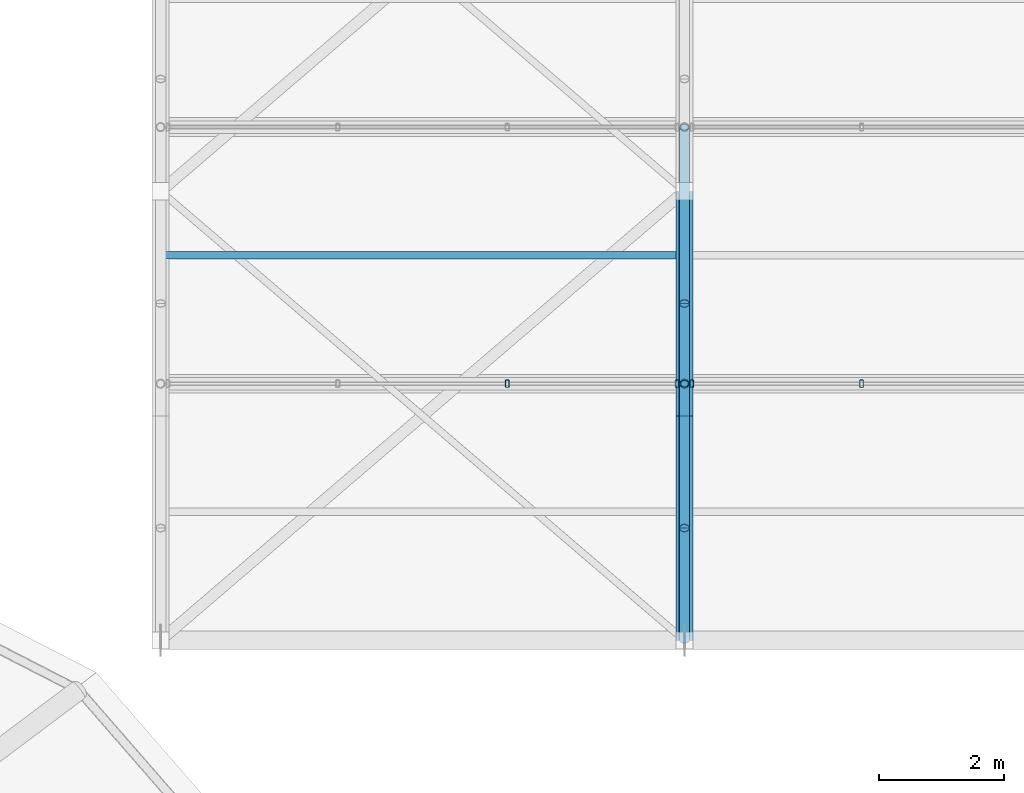
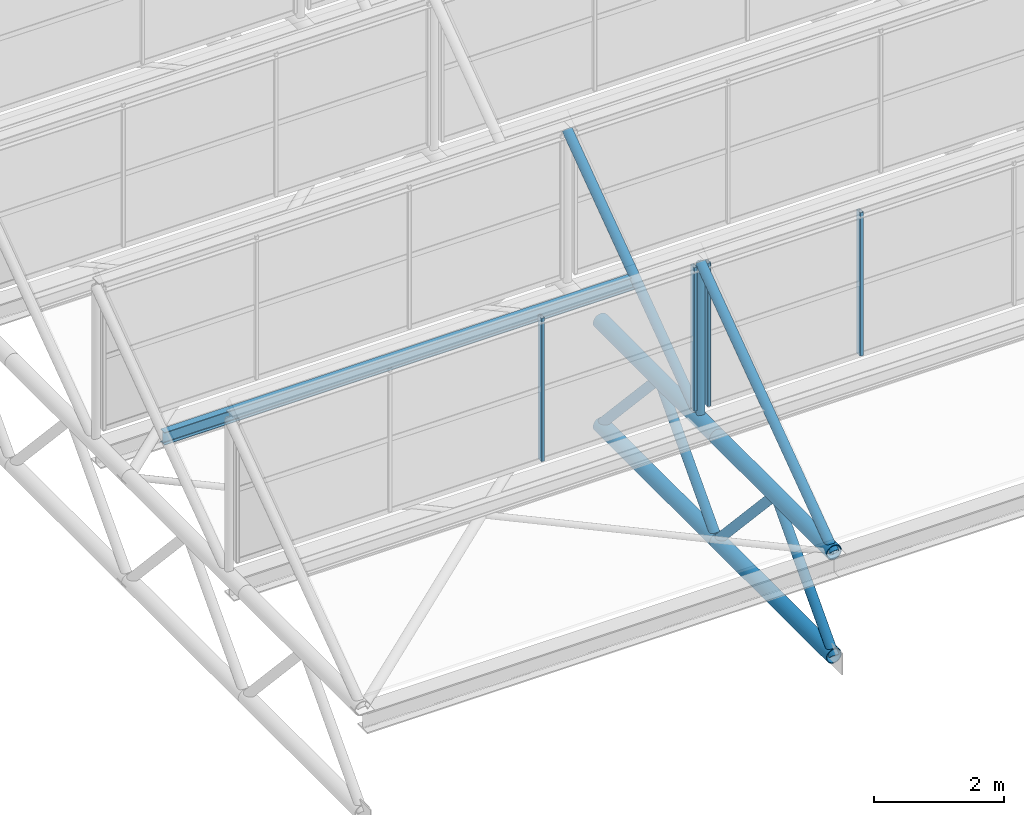
# One storey, part 53 of 134: 15 members, 1 beam, 2 elements without a shape of their own.
"""IFC4 building model written with IfcOpenShell, lengths in metres."""

from ifc_helpers import new_model, si_unit, derived_unit, direction, frame, origin, origin_2d, place, context, subcontext, project, spatial, hollow_rectangle, hollow_circle, i_section, extrude, material, material_profile, profile_set, type_object, element, aggregate, save


model = new_model("IFC4")

# Units and contexts
model_context = context("Model", 3, precision=1e-05, world=origin(), true_north=direction((0.0, 1.0)))
body_context = subcontext(model_context, "Body", "Model", "MODEL_VIEW")
ifc_project = project(units=[si_unit("LENGTHUNIT", "METRE"), si_unit("AREAUNIT", "SQUARE_METRE"), si_unit("VOLUMEUNIT", "CUBIC_METRE"), si_unit("PLANEANGLEUNIT", "RADIAN"), si_unit("MASSUNIT", "GRAM", prefix="KILO"), derived_unit("THERMALTRANSMITTANCEUNIT", [(si_unit("MASSUNIT", "GRAM", prefix="KILO"), 1), (si_unit("TIMEUNIT", "SECOND"), -3), (si_unit("THERMODYNAMICTEMPERATUREUNIT", "KELVIN"), -1)])], contexts=[model_context])

# Site, building, storey
site_placement = place(None, origin())
site = spatial("IfcSite", under=ifc_project, at=site_placement, CompositionType="ELEMENT")
building_placement = place(site_placement, origin())
building = spatial("IfcBuilding", under=site, at=building_placement, Name="Kharveza Railside Sports Centre", CompositionType="ELEMENT")
storey_placement = place(building_placement, frame((0.0, 0.0, 12.89990234375)))
storey = spatial("IfcBuildingStorey", under=building, at=storey_placement, Name="L03", CompositionType="ELEMENT", Elevation=12.89990234375)

# Beam
ifc_material_1 = material(Name="Steel S275JR", Category="steel")
ifc_material_profile_1 = material_profile(ifc_material_1, i_section(OverallWidth=0.1201171875, OverallDepth=0.239990234375, WebThickness=0.006103515625, FlangeThickness=0.009765625, FilletRadius=0.014892578125, at=origin_2d()), Name="IPE 240")
ifc_profile_set_1 = profile_set([ifc_material_profile_1], Name="Steel S275JR")
beam_type = type_object("IfcBeamType", Name="BM-J01", PredefinedType="JOIST", material=ifc_profile_set_1)
beam_placement = place(storey_placement, frame((92.39990234375, 85.37158203125, 3.320068359375), z_axis=(1.0, 0.0, 0.0), x_axis=(0.0, 1.0, 0.0)))
element("IfcBeam", 1, at=beam_placement, inside=storey, type_object=beam_type, Name="BM-V2SAW-PUR-2-1", PredefinedType="JOIST", context=body_context, shape_type="SweptSolid", body=[
    extrude(i_section(OverallWidth=0.1201171875, OverallDepth=0.239990234375, WebThickness=0.006103515625, FlangeThickness=0.009765625, FilletRadius=0.014892578125, at=origin_2d()), origin(), (0.0, 0.0, 1.0), 8.400146484375),
])

# Curtain wall, members
ifc_material_2 = material(Name="Low-E solar-control laminated glass", Category="glass")
curtain_wall_type = type_object("IfcCurtainWallType", Name="CW-NL02", PredefinedType="NOTDEFINED", material=ifc_material_2)
curtain_wall_1_placement = place(storey_placement, origin())
curtain_wall_1 = element("IfcCurtainWall", 2, at=curtain_wall_1_placement, inside=storey, type_object=curtain_wall_type, Name="CW-V2NL-1-1", PredefinedType="NOTDEFINED")
ifc_material_3 = material(Name="Anodised aluminium 6063-T6", Category="aluminium")
ifc_material_profile_2 = material_profile(ifc_material_3, hollow_rectangle(XDim=0.06005859375, YDim=0.1201171875, WallThickness=0.0048828125, InnerFilletRadius=0.0048828125, OuterFilletRadius=0.010009765625, at=origin_2d()), Name="RHS 60x120x5.0")
ifc_profile_set_2 = profile_set([ifc_material_profile_2], Name="Anodised aluminium 6063-T6")
member_type_1 = type_object("IfcMemberType", Name="CW-ML05", PredefinedType="MULLION", material=ifc_profile_set_2)
member_1_placement = place(storey_placement, frame((97.9599609375, 83.314208984375, 2.2001953125), z_axis=(0.0, 0.0, 1.0), x_axis=(1.0, 0.0, 0.0)))
member_1 = element("IfcMember", 3, at=member_1_placement, type_object=member_type_1, Name="CW-V2NL-1-1-ML3", PredefinedType="MULLION", context=body_context, shape_type="SweptSolid", body=[
    extrude(hollow_rectangle(XDim=0.06005859375, YDim=0.1201171875, WallThickness=0.0048828125, InnerFilletRadius=0.0048828125, OuterFilletRadius=0.010009765625, at=origin_2d()), origin(), (0.0, 0.0, 1.0), 2.699951171875),
])
member_2_placement = place(storey_placement, frame((100.679931640625, 83.314208984375, 2.2001953125), z_axis=(0.0, 0.0, 1.0), x_axis=(1.0, 0.0, 0.0)))
member_2 = element("IfcMember", 4, at=member_2_placement, type_object=member_type_1, Name="CW-V2NL-1-1-ML4", PredefinedType="MULLION", context=body_context, shape_type="SweptSolid", body=[
    extrude(hollow_rectangle(XDim=0.06005859375, YDim=0.1201171875, WallThickness=0.0048828125, InnerFilletRadius=0.0048828125, OuterFilletRadius=0.010009765625, at=origin_2d()), origin(), (0.0, 0.0, 1.0), 2.699951171875),
])
aggregate(curtain_wall_1, [member_1, member_2])

curtain_wall_2_placement = place(storey_placement, origin())
curtain_wall_2 = element("IfcCurtainWall", 5, at=curtain_wall_2_placement, inside=storey, type_object=curtain_wall_type, Name="CW-V2NL-1-2", PredefinedType="NOTDEFINED")
member_3_placement = place(storey_placement, frame((100.919921875, 83.314208984375, 2.2001953125), z_axis=(0.0, 0.0, 1.0), x_axis=(1.0, 0.0, 0.0)))
member_3 = element("IfcMember", 6, at=member_3_placement, type_object=member_type_1, Name="CW-V2NL-1-2-ML1", PredefinedType="MULLION", context=body_context, shape_type="SweptSolid", body=[
    extrude(hollow_rectangle(XDim=0.06005859375, YDim=0.1201171875, WallThickness=0.0048828125, InnerFilletRadius=0.0048828125, OuterFilletRadius=0.010009765625, at=origin_2d()), origin(), (0.0, 0.0, 1.0), 2.699951171875),
])
member_4_placement = place(storey_placement, frame((103.639892578125, 83.314208984375, 2.2001953125), z_axis=(0.0, 0.0, 1.0), x_axis=(1.0, 0.0, 0.0)))
member_4 = element("IfcMember", 7, at=member_4_placement, type_object=member_type_1, Name="CW-V2NL-1-2-ML2", PredefinedType="MULLION", context=body_context, shape_type="SweptSolid", body=[
    extrude(hollow_rectangle(XDim=0.06005859375, YDim=0.1201171875, WallThickness=0.0048828125, InnerFilletRadius=0.0048828125, OuterFilletRadius=0.010009765625, at=origin_2d()), origin(), (0.0, 0.0, 1.0), 2.699951171875),
])
aggregate(curtain_wall_2, [member_3, member_4])

# Members
ifc_material_4 = material(Name="Steel S355J2", Category="steel")
ifc_material_profile_3 = material_profile(ifc_material_4, hollow_circle(Radius=0.136474609375, WallThickness=0.01416015625, at=origin_2d()), Name="CHS 273.0x14.2")
ifc_profile_set_3 = profile_set([ifc_material_profile_3], Name="Steel S355J2")
member_type_2 = type_object("IfcMemberType", Name="MB-CH03", PredefinedType="CHORD", material=ifc_profile_set_3)
for number, where, z_axis, x_axis, name in (
    (8, (100.800048828125, 79.199951171875, 0.0), (0.0, 1.0, 0.0), (-1.0, 0.0, 0.0), "MB-V2TR-BC-2-1"),
    (9, (100.800048828125, 79.199951171875, 1.9501953125), (0.0, 1.0, 0.0), (-1.0, 0.0, 0.0), "MB-V2TR-TC-2-1"),
):
    element("IfcMember", number, at=place(storey_placement, frame(where, z_axis=z_axis, x_axis=x_axis)), inside=storey, type_object=member_type_2, Name=name, PredefinedType="CHORD", context=body_context, shape_type="SweptSolid", body=[
        extrude(hollow_circle(Radius=0.136474609375, WallThickness=0.01416015625, at=origin_2d()), origin(), (0.0, 0.0, 1.0), 3.60009765625),
    ])
for number, where, z_axis, x_axis, name in (
    (10, (100.800048828125, 82.800048828125, 0.0), (0.0, 1.0, 0.0), (-1.0, 0.0, 0.0), "MB-V2TR-BC-2-2"),
    (11, (100.800048828125, 82.800048828125, 1.9501953125), (0.0, 1.0, 0.0), (-1.0, 0.0, 0.0), "MB-V2TR-TC-2-2"),
):
    element("IfcMember", number, at=place(storey_placement, frame(where, z_axis=z_axis, x_axis=x_axis)), inside=storey, type_object=member_type_2, Name=name, PredefinedType="CHORD", context=body_context, shape_type="SweptSolid", body=[
        extrude(hollow_circle(Radius=0.136474609375, WallThickness=0.01416015625, at=origin_2d()), origin(), (0.0, 0.0, 1.0), 3.599853515625),
    ])
ifc_material_profile_4 = material_profile(ifc_material_4, hollow_circle(Radius=0.084228515625, WallThickness=0.010009765625, at=origin_2d()), Name="CHS 168.3x10.0")
ifc_profile_set_4 = profile_set([ifc_material_profile_4], Name="Steel S355J2")
member_type_3 = type_object("IfcMemberType", Name="MB-ST03", PredefinedType="STRUT", material=ifc_profile_set_4)
for number, where, z_axis, x_axis, name in (
    (12, (100.800048828125, 79.199951171875, 0.0), (0.0, 0.67825335715, 0.734828131956), (-1.0, 0.0, 0.0), "MB-V2TR-D1-2-1"),
    (13, (100.800048828125, 81.0, 1.9501953125), (0.0, 0.67825335715, -0.734828131956), (-1.0, 0.0, 0.0), "MB-V2TR-D2-2-1"),
    (14, (100.800048828125, 82.800048828125, 0.0), (0.0, 0.67825335715, 0.734828131956), (-1.0, 0.0, 0.0), "MB-V2TR-D1-2-2"),
):
    element("IfcMember", number, at=place(storey_placement, frame(where, z_axis=z_axis, x_axis=x_axis)), inside=storey, type_object=member_type_3, Name=name, PredefinedType="STRUT", context=body_context, shape_type="SweptSolid", body=[
        extrude(hollow_circle(Radius=0.084228515625, WallThickness=0.010009765625, at=origin_2d()), origin(), (0.0, 0.0, 1.0), 2.654052734375),
    ])
member_5_placement = place(storey_placement, frame((100.800048828125, 84.60009765625, 1.9501953125), z_axis=(0.0, 0.678203679629, -0.734873981671), x_axis=(-1.0, 0.0, 0.0)))
element("IfcMember", 15, at=member_5_placement, inside=storey, type_object=member_type_3, Name="MB-V2TR-D2-2-2", PredefinedType="STRUT", context=body_context, shape_type="SweptSolid", body=[
    extrude(hollow_circle(Radius=0.084228515625, WallThickness=0.010009765625, at=origin_2d()), origin(), (0.0, 0.0, 1.0), 2.65380859375),
])
member_6_placement = place(storey_placement, frame((100.800048828125, 79.199951171875, 1.9501953125), z_axis=(0.0, 0.810813691418, 0.585304329225), x_axis=(-1.0, 0.0, 0.0)))
element("IfcMember", 16, at=member_6_placement, inside=storey, type_object=member_type_3, Name="MB-V2SAW-RFT-1-2", PredefinedType="STRUT", context=body_context, shape_type="SweptSolid", body=[
    extrude(hollow_circle(Radius=0.084228515625, WallThickness=0.010009765625, at=origin_2d()), origin(), (0.0, 0.0, 1.0), 5.07421875),
])
member_7_placement = place(storey_placement, frame((100.800048828125, 83.314208984375, 1.9501953125), z_axis=(0.0, 0.810830173333, 0.585281496386), x_axis=(-1.0, 0.0, 0.0)))
element("IfcMember", 17, at=member_7_placement, inside=storey, type_object=member_type_3, Name="MB-V2SAW-RFT-2-2", PredefinedType="STRUT", context=body_context, shape_type="SweptSolid", body=[
    extrude(hollow_circle(Radius=0.084228515625, WallThickness=0.010009765625, at=origin_2d()), origin(), (0.0, 0.0, 1.0), 5.074462890625),
])
ifc_material_profile_5 = material_profile(ifc_material_4, hollow_circle(Radius=0.06982421875, WallThickness=0.008056640625, at=origin_2d()), Name="CHS 139.7x8.0")
ifc_profile_set_5 = profile_set([ifc_material_profile_5], Name="Steel S355J2")
member_type_4 = type_object("IfcMemberType", Name="MB-ST04", PredefinedType="STRUT", material=ifc_profile_set_5)
member_8_placement = place(storey_placement, frame((100.800048828125, 83.314208984375, 1.9501953125), z_axis=(0.0, 0.0, 1.0), x_axis=(1.0, 0.0, 0.0)))
element("IfcMember", 18, at=member_8_placement, inside=storey, type_object=member_type_4, Name="MB-V2SAW-PST-1-2", PredefinedType="STRUT", context=body_context, shape_type="SweptSolid", body=[
    extrude(hollow_circle(Radius=0.06982421875, WallThickness=0.008056640625, at=origin_2d()), origin(), (0.0, 0.0, 1.0), 2.969970703125),
])

save(model, "model.ifc")
